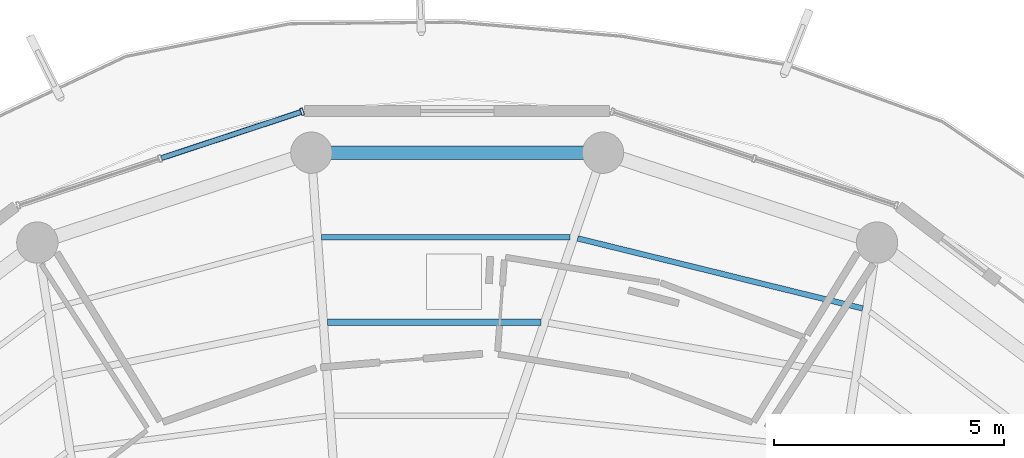
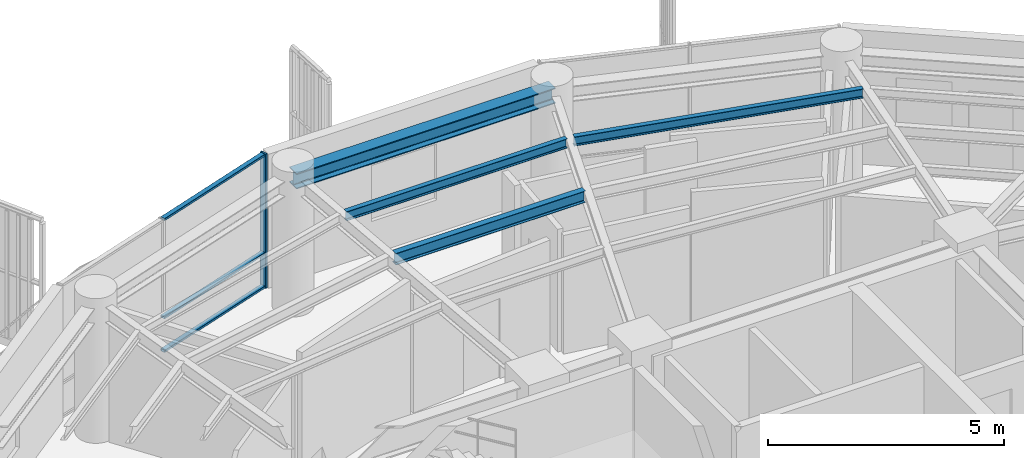
# One storey, part 12 of 22: 4 beams, 4 members, 1 element without a shape of its own.
"""IFC4 building model written with IfcOpenShell, lengths in metres."""

from ifc_helpers import new_model, si_unit, direction, frame, origin, origin_2d, place, context, subcontext, project, spatial, hollow_rectangle, i_section, extrude, material, layer, layer_set, material_profile, profile_set, type_object, element, aggregate, save


model = new_model("IFC4")

# Units and contexts
model_context = context("Model", 3, precision=1e-05, world=origin(), true_north=direction((0.0, 1.0)))
body_context = subcontext(model_context, "Body", "Model", "MODEL_VIEW")
ifc_project = project(units=[si_unit("LENGTHUNIT", "METRE"), si_unit("AREAUNIT", "SQUARE_METRE"), si_unit("VOLUMEUNIT", "CUBIC_METRE"), si_unit("PLANEANGLEUNIT", "RADIAN"), si_unit("MASSUNIT", "GRAM", prefix="KILO")], contexts=[model_context])

# Site, building, storey
site_placement = place(None, origin())
site = spatial("IfcSite", under=ifc_project, at=site_placement, CompositionType="ELEMENT")
building_placement = place(site_placement, origin())
building = spatial("IfcBuilding", under=site, at=building_placement, Name="Kelanora Arch Commons", CompositionType="ELEMENT")
storey_placement = place(building_placement, frame((0.0, 0.0, 263.699951171875)))
storey = spatial("IfcBuildingStorey", under=building, at=storey_placement, Name="L67", CompositionType="ELEMENT", Elevation=263.699951171875)

# Beams
ifc_material_1 = material(Name="Steel S355", Category="steel")
ifc_material_profile_1 = material_profile(ifc_material_1, i_section(OverallWidth=0.14990234375, OverallDepth=0.300048828125, WebThickness=0.007080078125, FlangeThickness=0.0107421875, FilletRadius=0.014892578125, at=origin_2d()), Name="IPE300")
ifc_profile_set_1 = profile_set([ifc_material_profile_1], Name="Steel S355")
beam_type_1 = type_object("IfcBeamType", Name="BM-JST-01", PredefinedType="JOIST", material=ifc_profile_set_1)
beam_1_placement = place(storey_placement, frame((75.819580078125, 70.537841796875, 3.340087890625), z_axis=(-1.0, 0.0, 0.0), x_axis=(0.0, -1.0, 0.0)))
element("IfcBeam", 1, at=beam_1_placement, inside=storey, type_object=beam_type_1, Name="Secondary Chord Joist BJB-08 L67", PredefinedType="JOIST", context=body_context, shape_type="SweptSolid", body=[
    extrude(i_section(OverallWidth=0.14990234375, OverallDepth=0.300048828125, WebThickness=0.007080078125, FlangeThickness=0.0107421875, FilletRadius=0.014892578125, at=origin_2d()), origin(), (0.0, 0.0, 1.0), 4.647216796875),
])
ifc_material_profile_2 = material_profile(ifc_material_1, i_section(OverallWidth=0.1201171875, OverallDepth=0.239990234375, WebThickness=0.006103515625, FlangeThickness=0.009765625, FilletRadius=0.014892578125, at=origin_2d()), Name="IPE240")
ifc_profile_set_2 = profile_set([ifc_material_profile_2], Name="Steel S355")
beam_type_2 = type_object("IfcBeamType", Name="BM-JST-02", PredefinedType="JOIST", material=ifc_profile_set_2)
beam_2_placement = place(storey_placement, frame((82.82958984375, 70.837890625, 3.3701171875), z_axis=(-0.971109719488, 0.23863342749, 0.0), x_axis=(-0.23863342749, -0.971109719488, 0.0)))
element("IfcBeam", 2, at=beam_2_placement, inside=storey, type_object=beam_type_2, Name="Secondary Chord Joist BJC-06 L67", PredefinedType="JOIST", context=body_context, shape_type="SweptSolid", body=[
    extrude(i_section(OverallWidth=0.1201171875, OverallDepth=0.239990234375, WebThickness=0.006103515625, FlangeThickness=0.009765625, FilletRadius=0.014892578125, at=origin_2d()), origin(), (0.0, 0.0, 1.0), 6.39208984375),
])
beam_3_placement = place(storey_placement, frame((76.454345703125, 72.3837890625, 3.3701171875), z_axis=(-1.0, 0.0, 0.0), x_axis=(0.0, -1.0, 0.0)))
element("IfcBeam", 3, at=beam_3_placement, inside=storey, type_object=beam_type_2, Name="Secondary Chord Joist BJC-08 L67", PredefinedType="JOIST", context=body_context, shape_type="SweptSolid", body=[
    extrude(i_section(OverallWidth=0.1201171875, OverallDepth=0.239990234375, WebThickness=0.006103515625, FlangeThickness=0.009765625, FilletRadius=0.014892578125, at=origin_2d()), origin(), (0.0, 0.0, 1.0), 5.412841796875),
])
ifc_material_profile_3 = material_profile(ifc_material_1, i_section(OverallWidth=0.300048828125, OverallDepth=0.39990234375, WebThickness=0.013427734375, FlangeThickness=0.02392578125, FilletRadius=0.027099609375, at=origin_2d()), Name="HEB400")
ifc_profile_set_3 = profile_set([ifc_material_profile_3], Name="Steel S355")
beam_type_3 = type_object("IfcBeamType", Name="BM-SPN-Z4", PredefinedType="SPANDREL", material=ifc_profile_set_3)
beam_4_placement = place(storey_placement, frame((77.17431640625, 74.2294921875, 3.2900390625), z_axis=(-1.0, 0.0, 0.0), x_axis=(0.0, -1.0, 0.0)))
element("IfcBeam", 4, at=beam_4_placement, inside=storey, type_object=beam_type_3, Name="Perimeter Spandrel Beam BS-08 L67", PredefinedType="SPANDREL", context=body_context, shape_type="SweptSolid", body=[
    extrude(i_section(OverallWidth=0.300048828125, OverallDepth=0.39990234375, WebThickness=0.013427734375, FlangeThickness=0.02392578125, FilletRadius=0.027099609375, at=origin_2d()), origin(), (0.0, 0.0, 1.0), 6.3486328125),
])

# Curtain wall, members
ifc_material_2 = material(Name="Terracotta ceramic-fritted low-E glass and aluminium", Category="masonry")
ifc_layer = layer(ifc_material_2, 0.18994140625)
ifc_layer_set = layer_set([ifc_layer], Name="Terracotta ceramic-fritted low-E glass and aluminium")
curtain_wall_type = type_object("IfcCurtainWallType", Name="CW-SYS-03", PredefinedType="NOTDEFINED", material=ifc_layer_set)
curtain_wall_placement = place(storey_placement, origin())
curtain_wall = element("IfcCurtainWall", 5, at=curtain_wall_placement, inside=storey, type_object=curtain_wall_type, Name="Unitised Curtain Wall L67-B05", PredefinedType="NOTDEFINED")
ifc_material_3 = material(Name="Powder-coated aluminium terracotta", Category="masonry")
ifc_material_profile_4 = material_profile(ifc_material_3, hollow_rectangle(XDim=0.159912109375, YDim=0.06005859375, WallThickness=0.0048828125, InnerFilletRadius=0.0048828125, OuterFilletRadius=0.010009765625, at=origin_2d()), Name="CWM160x60")
ifc_profile_set_4 = profile_set([ifc_material_profile_4], Name="Powder-coated aluminium terracotta")
member_type_1 = type_object("IfcMemberType", Name="CWM-STD", PredefinedType="MULLION", material=ifc_profile_set_4)
member_1_placement = place(storey_placement, frame((70.623291015625, 75.12158203125, 0.0), z_axis=(0.0, 0.0, 1.0), x_axis=(0.313252785344, -0.949669780752, 0.0)))
member_1 = element("IfcMember", 6, at=member_1_placement, type_object=member_type_1, Name="CW-03 mullion 1", PredefinedType="MULLION", context=body_context, shape_type="SweptSolid", body=[
    extrude(hollow_rectangle(XDim=0.159912109375, YDim=0.06005859375, WallThickness=0.0048828125, InnerFilletRadius=0.0048828125, OuterFilletRadius=0.010009765625, at=origin_2d()), origin(), (0.0, 0.0, 1.0), 3.47509765625),
])
ifc_material_profile_5 = material_profile(ifc_material_3, hollow_rectangle(XDim=0.1201171875, YDim=0.06005859375, WallThickness=0.0048828125, InnerFilletRadius=0.0048828125, OuterFilletRadius=0.010009765625, at=origin_2d()), Name="CWT120x60")
ifc_profile_set_5 = profile_set([ifc_material_profile_5], Name="Powder-coated aluminium terracotta")
member_type_2 = type_object("IfcMemberType", Name="CWT-STD", PredefinedType="USERDEFINED", material=ifc_profile_set_5)
member_2_placement = place(storey_placement, frame((70.5947265625, 75.1123046875, 0.030029296875), z_axis=(-0.949649574195, -0.313314037719, 0.0), x_axis=(0.313314037719, -0.949649574195, 0.0)))
member_2 = element("IfcMember", 7, at=member_2_placement, type_object=member_type_2, Name="CW-03 transom 1.1", ObjectType="TRANSOM", PredefinedType="USERDEFINED", context=body_context, shape_type="SweptSolid", body=[
    extrude(hollow_rectangle(XDim=0.1201171875, YDim=0.06005859375, WallThickness=0.0048828125, InnerFilletRadius=0.0048828125, OuterFilletRadius=0.010009765625, at=origin_2d()), origin(), (0.0, 0.0, 1.0), 3.194091796875),
])
member_3_placement = place(storey_placement, frame((70.5947265625, 75.1123046875, 0.900146484375), z_axis=(-0.949649574195, -0.313314037719, 0.0), x_axis=(0.313314037719, -0.949649574195, 0.0)))
member_3 = element("IfcMember", 8, at=member_3_placement, type_object=member_type_2, Name="CW-03 transom 1.2", ObjectType="TRANSOM", PredefinedType="USERDEFINED", context=body_context, shape_type="SweptSolid", body=[
    extrude(hollow_rectangle(XDim=0.1201171875, YDim=0.06005859375, WallThickness=0.0048828125, InnerFilletRadius=0.0048828125, OuterFilletRadius=0.010009765625, at=origin_2d()), origin(), (0.0, 0.0, 1.0), 3.194091796875),
])
member_4_placement = place(storey_placement, frame((70.5947265625, 75.1123046875, 3.445068359375), z_axis=(-0.949649574195, -0.313314037719, 0.0), x_axis=(0.313314037719, -0.949649574195, 0.0)))
member_4 = element("IfcMember", 9, at=member_4_placement, type_object=member_type_2, Name="CW-03 transom 1.3", ObjectType="TRANSOM", PredefinedType="USERDEFINED", context=body_context, shape_type="SweptSolid", body=[
    extrude(hollow_rectangle(XDim=0.1201171875, YDim=0.06005859375, WallThickness=0.0048828125, InnerFilletRadius=0.0048828125, OuterFilletRadius=0.010009765625, at=origin_2d()), origin(), (0.0, 0.0, 1.0), 3.194091796875),
])
aggregate(curtain_wall, [member_1, member_2, member_3, member_4])

save(model, "model.ifc")
